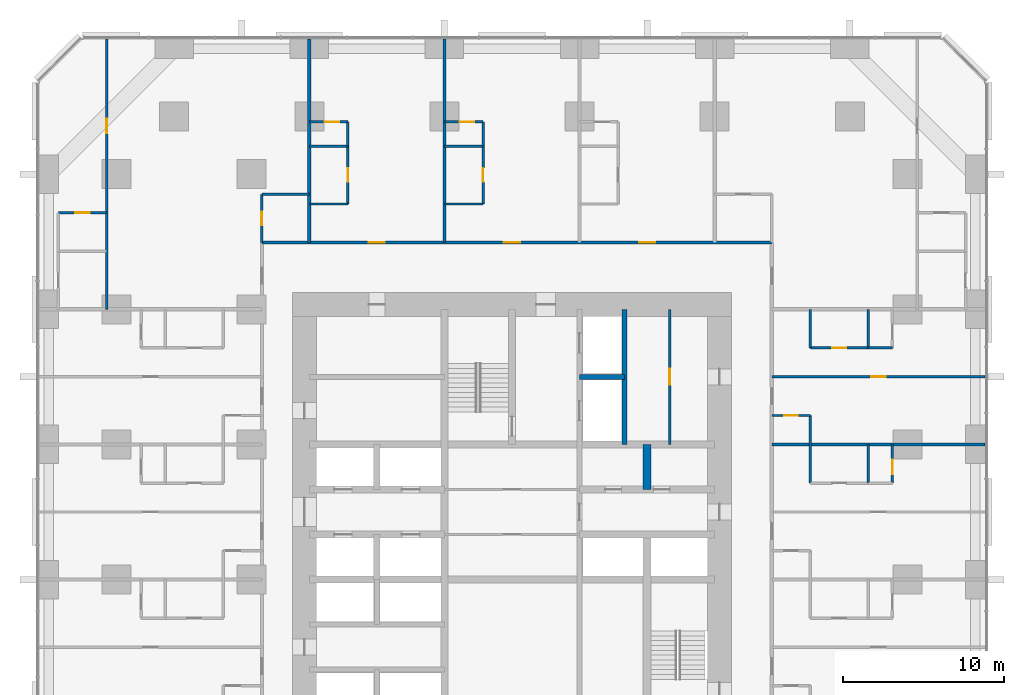
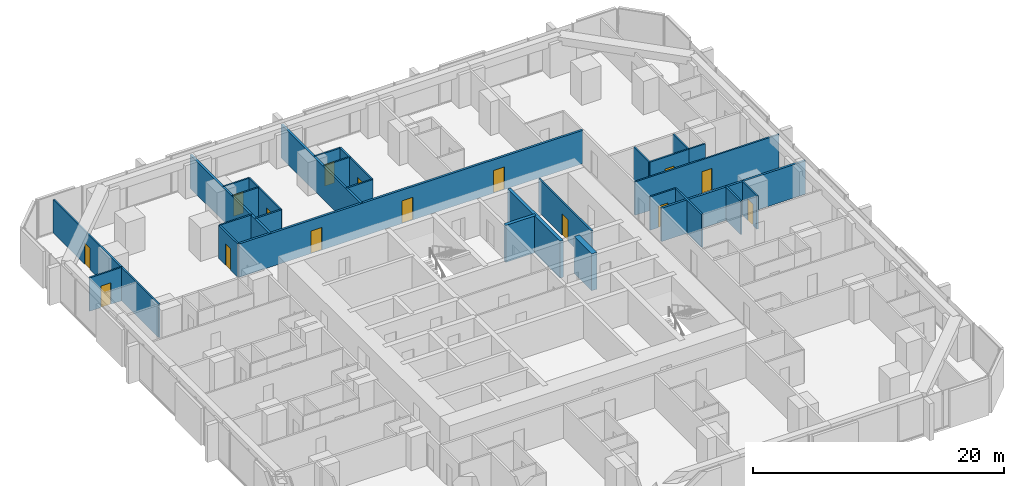
# One storey, part 15 of 17: 31 walls, 15 doors, 15 openings.
"""IFC4 building model written with IfcOpenShell, lengths in metres."""

from ifc_helpers import new_model, si_unit, direction, frame, frame_2d, origin, place, context, subcontext, project, spatial, rectangle, extrude, material, layer, layer_set, type_object, element, fill, save


model = new_model("IFC4")

# Units and contexts
model_context = context("Model", 3, precision=1e-05, world=origin(), true_north=direction((0.0, 1.0)))
body_context = subcontext(model_context, "Body", "Model", "MODEL_VIEW")
ifc_project = project(units=[si_unit("LENGTHUNIT", "METRE"), si_unit("AREAUNIT", "SQUARE_METRE"), si_unit("VOLUMEUNIT", "CUBIC_METRE"), si_unit("PLANEANGLEUNIT", "RADIAN"), si_unit("MASSUNIT", "GRAM", prefix="KILO")], contexts=[model_context])

# Site, building, storey
site_placement = place(None, origin())
site = spatial("IfcSite", under=ifc_project, at=site_placement, CompositionType="ELEMENT")
building_placement = place(site_placement, origin())
building = spatial("IfcBuilding", under=site, at=building_placement, Name="Dunama Terrace Hotel", CompositionType="ELEMENT")
storey_placement = place(building_placement, frame((0.0, 0.0, 55.800048828125)))
storey = spatial("IfcBuildingStorey", under=building, at=storey_placement, Name="L13", CompositionType="ELEMENT", Elevation=55.800048828125)

# Wall, opening, door
ifc_material_1 = material(Name="Gypsum board partition", Category="masonry")
ifc_layer_1 = layer(ifc_material_1, 0.14990234375)
ifc_layer_set_1 = layer_set([ifc_layer_1], Name="Bathroom partition 150")
wall_type_1 = type_object("IfcWallType", Name="Bathroom partition 150", PredefinedType="PARTITIONING", material=ifc_layer_set_1)
wall_1_placement = place(storey_placement, frame((13.85009765625, 46.14990234375, 0.0), z_axis=(0.0, 0.0, 1.0), x_axis=(0.0, 1.0, 0.0)))
wall_1 = element("IfcWall", 1, at=wall_1_placement, inside=storey, type_object=wall_type_1, Name="Bathroom partition 150 L13", PredefinedType="PARTITIONING", context=body_context, shape_type="SweptSolid", body=[
    extrude(rectangle(XDim=3.0, YDim=0.14990234375, at=frame_2d((1.5, 0.0))), origin(), (0.0, 0.0, 1.0), 3.25),
])
opening_1_placement = place(wall_1_placement, frame((1.074951171875, 0.0, 0.0)))
opening_1 = element("IfcOpeningElement", 2, at=opening_1_placement, cuts=wall_1, Name="Opening L13-14-073", PredefinedType="OPENING", context=body_context, shape_type="SweptSolid", body=[
    extrude(rectangle(XDim=0.85009765625, YDim=2.10009765625, at=frame_2d((0.425048828125, 1.050048828125))), frame((0.0, 0.0849609375, 0.0), z_axis=(0.0, -1.0, 0.0), x_axis=(1.0, 0.0, 0.0)), (0.0, 0.0, 1.0), 0.169921875),
])
ifc_material_2 = material(Name="Timber door with steel frame", Category="steel")
door_type_1 = type_object("IfcDoorType", Name="Bathroom door 850", OperationType="SINGLE_SWING_LEFT", PredefinedType="DOOR", material=ifc_material_2)
door_1_placement = place(opening_1_placement, frame((0.85009765625, 0.0, 0.0), z_axis=(0.0, 0.0, 1.0), x_axis=(-1.0, 0.0, 0.0)))
door_1 = element("IfcDoor", 3, at=door_1_placement, inside=storey, type_object=door_type_1, Name="Door to powder room L13-14-073, type D2", OperationType="SINGLE_SWING_RIGHT", OverallHeight=2.10009765625, OverallWidth=0.85009765625, PredefinedType="DOOR", context=body_context, shape_type="SweptSolid", body=[
    extrude(rectangle(XDim=0.85009765625, YDim=2.10009765625, at=frame_2d((0.425048828125, 1.050048828125))), frame((0.0, 0.025146484375, 0.0), z_axis=(0.0, -1.0, 0.0), x_axis=(1.0, 0.0, 0.0)), (0.0, 0.0, 1.0), 0.050048828125),
])
fill(opening_1, door_1)

wall_2_placement = place(storey_placement, frame((19.199951171875, 48.550048828125, 0.0), z_axis=(0.0, 0.0, 1.0), x_axis=(0.0, 1.0, 0.0)))
wall_2 = element("IfcWall", 4, at=wall_2_placement, inside=storey, type_object=wall_type_1, Name="Bathroom partition 150 L13", PredefinedType="PARTITIONING", context=body_context, shape_type="SweptSolid", body=[
    extrude(rectangle(XDim=3.599853515625, YDim=0.14990234375, at=frame_2d((1.7998046875, 0.0))), origin(), (0.0, 0.0, 1.0), 3.25),
])
opening_2_placement = place(wall_2_placement, frame((1.375, 0.0, 0.0)))
opening_2 = element("IfcOpeningElement", 5, at=opening_2_placement, cuts=wall_2, Name="Opening L13-14-034", PredefinedType="OPENING", context=body_context, shape_type="SweptSolid", body=[
    extrude(rectangle(XDim=0.85009765625, YDim=2.10009765625, at=frame_2d((0.425048828125, 1.050048828125))), frame((0.0, 0.0849609375, 0.0), z_axis=(0.0, -1.0, 0.0), x_axis=(1.0, 0.0, 0.0)), (0.0, 0.0, 1.0), 0.169921875),
])
door_2_placement = place(opening_2_placement, origin())
door_2 = element("IfcDoor", 6, at=door_2_placement, inside=storey, type_object=door_type_1, Name="Door to en-suite bathroom L13-14-034, type D2", OperationType="SINGLE_SWING_LEFT", OverallHeight=2.10009765625, OverallWidth=0.85009765625, PredefinedType="DOOR", context=body_context, shape_type="SweptSolid", body=[
    extrude(rectangle(XDim=0.85009765625, YDim=2.10009765625, at=frame_2d((0.425048828125, 1.050048828125))), frame((0.0, 0.02490234375, 0.0), z_axis=(0.0, -1.0, 0.0), x_axis=(1.0, 0.0, 0.0)), (0.0, 0.0, 1.0), 0.050048828125),
])
fill(opening_2, door_2)

wall_3_placement = place(storey_placement, frame((27.60009765625, 48.550048828125, 0.0), z_axis=(0.0, 0.0, 1.0), x_axis=(0.0, 1.0, 0.0)))
wall_3 = element("IfcWall", 7, at=wall_3_placement, inside=storey, type_object=wall_type_1, Name="Bathroom partition 150 L13", PredefinedType="PARTITIONING", context=body_context, shape_type="SweptSolid", body=[
    extrude(rectangle(XDim=3.599853515625, YDim=0.14990234375, at=frame_2d((1.7998046875, 0.0))), origin(), (0.0, 0.0, 1.0), 3.25),
])
opening_3_placement = place(wall_3_placement, frame((1.375, 0.0, 0.0)))
opening_3 = element("IfcOpeningElement", 8, at=opening_3_placement, cuts=wall_3, Name="Opening L13-14-037", PredefinedType="OPENING", context=body_context, shape_type="SweptSolid", body=[
    extrude(rectangle(XDim=0.85009765625, YDim=2.10009765625, at=frame_2d((0.425048828125, 1.050048828125))), frame((0.0, 0.0849609375, 0.0), z_axis=(0.0, -1.0, 0.0), x_axis=(1.0, 0.0, 0.0)), (0.0, 0.0, 1.0), 0.169921875),
])
door_3_placement = place(opening_3_placement, origin())
door_3 = element("IfcDoor", 9, at=door_3_placement, inside=storey, type_object=door_type_1, Name="Door to en-suite bathroom L13-14-037, type D2", OperationType="SINGLE_SWING_LEFT", OverallHeight=2.10009765625, OverallWidth=0.85009765625, PredefinedType="DOOR", context=body_context, shape_type="SweptSolid", body=[
    extrude(rectangle(XDim=0.85009765625, YDim=2.10009765625, at=frame_2d((0.425048828125, 1.050048828125))), frame((0.0, 0.02490234375, 0.0), z_axis=(0.0, -1.0, 0.0), x_axis=(1.0, 0.0, 0.0)), (0.0, 0.0, 1.0), 0.050048828125),
])
fill(opening_3, door_3)

# Walls
wall_4_placement = place(storey_placement, frame((47.949951171875, 31.199951171875, 0.0), z_axis=(0.0, 0.0, 1.0), x_axis=(0.0, 1.0, 0.0)))
element("IfcWall", 10, at=wall_4_placement, inside=storey, type_object=wall_type_1, Name="Bathroom partition 150 L13", PredefinedType="PARTITIONING", context=body_context, shape_type="SweptSolid", body=[
    extrude(rectangle(XDim=4.199951171875, YDim=0.14990234375, at=frame_2d((2.10009765625, 0.0))), origin(), (0.0, 0.0, 1.0), 3.25),
])
wall_5_placement = place(storey_placement, frame((47.949951171875, 39.60009765625, 0.0), z_axis=(0.0, 0.0, 1.0), x_axis=(0.0, 1.0, 0.0)))
element("IfcWall", 11, at=wall_5_placement, inside=storey, type_object=wall_type_1, Name="Bathroom partition 150 L13", PredefinedType="PARTITIONING", context=body_context, shape_type="SweptSolid", body=[
    extrude(rectangle(XDim=2.39990234375, YDim=0.14990234375, at=frame_2d((1.199951171875, 0.0))), origin(), (0.0, 0.0, 1.0), 3.25),
])

# Wall, opening, door
wall_6_placement = place(storey_placement, frame((45.550048828125, 35.39990234375, 0.0), z_axis=(0.0, 0.0, 1.0), x_axis=(1.0, 0.0, 0.0)))
wall_6 = element("IfcWall", 12, at=wall_6_placement, inside=storey, type_object=wall_type_1, Name="Bathroom partition 150 L13", PredefinedType="PARTITIONING", context=body_context, shape_type="SweptSolid", body=[
    extrude(rectangle(XDim=2.39990234375, YDim=0.14990234375, at=frame_2d((1.199951171875, 0.0))), origin(), (0.0, 0.0, 1.0), 3.25),
])
opening_4_placement = place(wall_6_placement, frame((0.77490234375, 0.0, 0.0)))
opening_4 = element("IfcOpeningElement", 13, at=opening_4_placement, cuts=wall_6, Name="Opening L13-14-029", PredefinedType="OPENING", context=body_context, shape_type="SweptSolid", body=[
    extrude(rectangle(XDim=0.85009765625, YDim=2.10009765625, at=frame_2d((0.425048828125, 1.050048828125))), frame((0.0, 0.0849609375, 0.0), z_axis=(0.0, -1.0, 0.0), x_axis=(1.0, 0.0, 0.0)), (0.0, 0.0, 1.0), 0.169921875),
])
door_4_placement = place(opening_4_placement, frame((0.85009765625, 0.0, 0.0), z_axis=(0.0, 0.0, 1.0), x_axis=(-1.0, 0.0, 0.0)))
door_4 = element("IfcDoor", 14, at=door_4_placement, inside=storey, type_object=door_type_1, Name="Door to powder room L13-14-029, type D2", OperationType="SINGLE_SWING_RIGHT", OverallHeight=2.10009765625, OverallWidth=0.85009765625, PredefinedType="DOOR", context=body_context, shape_type="SweptSolid", body=[
    extrude(rectangle(XDim=0.85009765625, YDim=2.10009765625, at=frame_2d((0.425048828125, 1.050048828125))), frame((0.0, 0.025146484375, 0.0), z_axis=(0.0, -1.0, 0.0), x_axis=(1.0, 0.0, 0.0)), (0.0, 0.0, 1.0), 0.050048828125),
])
fill(opening_4, door_4)

wall_7_placement = place(storey_placement, frame((47.949951171875, 39.60009765625, 0.0), z_axis=(0.0, 0.0, 1.0), x_axis=(1.0, 0.0, 0.0)))
wall_7 = element("IfcWall", 15, at=wall_7_placement, inside=storey, type_object=wall_type_1, Name="Bathroom partition 150 L13", PredefinedType="PARTITIONING", context=body_context, shape_type="SweptSolid", body=[
    extrude(rectangle(XDim=3.60009765625, YDim=0.14990234375, at=frame_2d((1.800048828125, 0.0))), origin(), (0.0, 0.0, 1.0), 3.25),
])
opening_5_placement = place(wall_7_placement, frame((1.375, 0.0, 0.0)))
opening_5 = element("IfcOpeningElement", 16, at=opening_5_placement, cuts=wall_7, Name="Opening L13-14-031", PredefinedType="OPENING", context=body_context, shape_type="SweptSolid", body=[
    extrude(rectangle(XDim=0.85009765625, YDim=2.10009765625, at=frame_2d((0.425048828125, 1.050048828125))), frame((0.0, 0.0849609375, 0.0), z_axis=(0.0, -1.0, 0.0), x_axis=(1.0, 0.0, 0.0)), (0.0, 0.0, 1.0), 0.169921875),
])
door_5_placement = place(opening_5_placement, origin())
door_5 = element("IfcDoor", 17, at=door_5_placement, inside=storey, type_object=door_type_1, Name="Door to en-suite bathroom L13-14-031, type D2", OperationType="SINGLE_SWING_RIGHT", OverallHeight=2.10009765625, OverallWidth=0.85009765625, PredefinedType="DOOR", context=body_context, shape_type="SweptSolid", body=[
    extrude(rectangle(XDim=0.85009765625, YDim=2.10009765625, at=frame_2d((0.425048828125, 1.050048828125))), frame((0.0, 0.02490234375, 0.0), z_axis=(0.0, -1.0, 0.0), x_axis=(1.0, 0.0, 0.0)), (0.0, 0.0, 1.0), 0.050048828125),
])
fill(opening_5, door_5)

# Walls
wall_8_placement = place(storey_placement, frame((16.800048828125, 48.550048828125, 0.0), z_axis=(0.0, 0.0, 1.0), x_axis=(1.0, 0.0, 0.0)))
element("IfcWall", 18, at=wall_8_placement, inside=storey, type_object=wall_type_1, Name="Bathroom partition 150 L13", PredefinedType="PARTITIONING", context=body_context, shape_type="SweptSolid", body=[
    extrude(rectangle(XDim=2.39990234375, YDim=0.14990234375, at=frame_2d((1.199951171875, 0.0))), origin(), (0.0, 0.0, 1.0), 3.25),
])
wall_9_placement = place(storey_placement, frame((25.199951171875, 48.550048828125, 0.0), z_axis=(0.0, 0.0, 1.0), x_axis=(1.0, 0.0, 0.0)))
element("IfcWall", 19, at=wall_9_placement, inside=storey, type_object=wall_type_1, Name="Bathroom partition 150 L13", PredefinedType="PARTITIONING", context=body_context, shape_type="SweptSolid", body=[
    extrude(rectangle(XDim=2.400146484375, YDim=0.14990234375, at=frame_2d((1.2001953125, 0.0))), origin(), (0.0, 0.0, 1.0), 3.25),
])
wall_10_placement = place(storey_placement, frame((13.85009765625, 49.14990234375, 0.0), z_axis=(0.0, 0.0, 1.0), x_axis=(1.0, 0.0, 0.0)))
element("IfcWall", 20, at=wall_10_placement, inside=storey, type_object=wall_type_1, Name="Bathroom partition 150 L13", PredefinedType="PARTITIONING", context=body_context, shape_type="SweptSolid", body=[
    extrude(rectangle(XDim=2.949951171875, YDim=0.14990234375, at=frame_2d((1.47509765625, 0.0))), origin(), (0.0, 0.0, 1.0), 3.25),
])
ifc_material_3 = material(Name="Concrete C50/60", Category="concrete")
ifc_layer_2 = layer(ifc_material_3, 0.300048828125)
ifc_layer_set_2 = layer_set([ifc_layer_2], Name="Core inner wall 300")
wall_type_2 = type_object("IfcWallType", Name="Core inner wall 300", PredefinedType="SHEAR", material=ifc_layer_set_2)
wall_11_placement = place(storey_placement, frame((36.39990234375, 33.60009765625, -0.35009765625), z_axis=(0.0, 0.0, 1.0), x_axis=(0.0, 1.0, 0.0)))
element("IfcWall", 21, at=wall_11_placement, inside=storey, type_object=wall_type_2, Name="Core inner wall 300 L13", PredefinedType="SHEAR", context=body_context, shape_type="SweptSolid", body=[
    extrude(rectangle(XDim=8.39990234375, YDim=0.300048828125, at=frame_2d((4.199951171875, 0.0))), origin(), (0.0, 0.0, 1.0), 3.60009765625),
])
wall_12_placement = place(storey_placement, frame((33.60009765625, 37.800048828125, -0.35009765625), z_axis=(0.0, 0.0, 1.0), x_axis=(1.0, 0.0, 0.0)))
element("IfcWall", 22, at=wall_12_placement, inside=storey, type_object=wall_type_2, Name="Core inner wall 300 L13", PredefinedType="SHEAR", context=body_context, shape_type="SweptSolid", body=[
    extrude(rectangle(XDim=2.7998046875, YDim=0.300048828125, at=frame_2d((1.39990234375, 0.0))), origin(), (0.0, 0.0, 1.0), 3.60009765625),
])
ifc_material_4 = material(Name="Concrete C50/60", Category="concrete")
ifc_layer_3 = layer(ifc_material_4, 0.5)
ifc_layer_set_3 = layer_set([ifc_layer_3], Name="Core inner wall 500")
wall_type_3 = type_object("IfcWallType", Name="Core inner wall 500", PredefinedType="SHEAR", material=ifc_layer_set_3)
wall_13_placement = place(storey_placement, frame((37.800048828125, 30.800048828125, -0.35009765625), z_axis=(0.0, 0.0, 1.0), x_axis=(0.0, 1.0, 0.0)))
element("IfcWall", 23, at=wall_13_placement, inside=storey, type_object=wall_type_3, Name="Core inner wall 500 L13", PredefinedType="SHEAR", context=body_context, shape_type="SweptSolid", body=[
    extrude(rectangle(XDim=2.800048828125, YDim=0.5, at=frame_2d((1.39990234375, 0.0))), origin(), (0.0, 0.0, 1.0), 3.60009765625),
])

# Wall, openings, doors
ifc_material_5 = material(Name="Concrete blockwork", Category="masonry")
ifc_layer_4 = layer(ifc_material_5, 0.199951171875)
ifc_layer_set_4 = layer_set([ifc_layer_4], Name="Corridor partition 200")
wall_type_4 = type_object("IfcWallType", Name="Corridor partition 200", PredefinedType="PARTITIONING", material=ifc_layer_set_4)
wall_14_placement = place(storey_placement, frame((13.85009765625, 46.14990234375, 0.0), z_axis=(0.0, 0.0, 1.0), x_axis=(1.0, 0.0, 0.0)))
wall_14 = element("IfcWall", 24, at=wall_14_placement, inside=storey, type_object=wall_type_4, Name="Corridor partition 200 L13", PredefinedType="PARTITIONING", context=body_context, shape_type="SweptSolid", body=[
    extrude(rectangle(XDim=31.699951171875, YDim=0.199951171875, at=frame_2d((15.85009765625, 0.0))), origin(), (0.0, 0.0, 1.0), 3.25),
])
opening_6_placement = place(wall_14_placement, frame((6.64990234375, 0.0, 0.0)))
opening_6 = element("IfcOpeningElement", 25, at=opening_6_placement, cuts=wall_14, Name="Opening L13-14-033", PredefinedType="OPENING", context=body_context, shape_type="SweptSolid", body=[
    extrude(rectangle(XDim=1.0, YDim=2.199951171875, at=frame_2d((0.5, 1.10009765625))), frame((0.0, 0.10986328125, 0.0), z_axis=(0.0, -1.0, 0.0), x_axis=(1.0, 0.0, 0.0)), (0.0, 0.0, 1.0), 0.219970703125),
])
opening_7_placement = place(wall_14_placement, frame((15.050048828125, 0.0, 0.0)))
opening_7 = element("IfcOpeningElement", 26, at=opening_7_placement, cuts=wall_14, Name="Opening L13-14-036", PredefinedType="OPENING", context=body_context, shape_type="SweptSolid", body=[
    extrude(rectangle(XDim=1.0, YDim=2.199951171875, at=frame_2d((0.5, 1.10009765625))), frame((0.0, 0.10986328125, 0.0), z_axis=(0.0, -1.0, 0.0), x_axis=(1.0, 0.0, 0.0)), (0.0, 0.0, 1.0), 0.219970703125),
])
opening_8_placement = place(wall_14_placement, frame((23.449951171875, 0.0, 0.0)))
opening_8 = element("IfcOpeningElement", 27, at=opening_8_placement, cuts=wall_14, Name="Opening L13-14-039", PredefinedType="OPENING", context=body_context, shape_type="SweptSolid", body=[
    extrude(rectangle(XDim=1.0, YDim=2.199951171875, at=frame_2d((0.5, 1.10009765625))), frame((0.0, 0.10986328125, 0.0), z_axis=(0.0, -1.0, 0.0), x_axis=(1.0, 0.0, 0.0)), (0.0, 0.0, 1.0), 0.219970703125),
])
ifc_material_6 = material(Name="Timber door with steel frame", Category="steel")
door_type_2 = type_object("IfcDoorType", Name="Guest room door 1000", OperationType="SINGLE_SWING_LEFT", PredefinedType="DOOR", material=ifc_material_6)
door_6_placement = place(opening_6_placement, origin())
door_6 = element("IfcDoor", 28, at=door_6_placement, inside=storey, type_object=door_type_2, Name="Door to junior suite L13-14-033, type D1", OperationType="SINGLE_SWING_LEFT", OverallHeight=2.199951171875, OverallWidth=1.0, PredefinedType="DOOR", context=body_context, shape_type="SweptSolid", body=[
    extrude(rectangle(XDim=1.0, YDim=2.199951171875, at=frame_2d((0.5, 1.10009765625))), frame((0.0, 0.02490234375, 0.0), z_axis=(0.0, -1.0, 0.0), x_axis=(1.0, 0.0, 0.0)), (0.0, 0.0, 1.0), 0.050048828125),
])
fill(opening_6, door_6)
door_7_placement = place(opening_7_placement, origin())
door_7 = element("IfcDoor", 29, at=door_7_placement, inside=storey, type_object=door_type_2, Name="Door to junior suite L13-14-036, type D1", OperationType="SINGLE_SWING_LEFT", OverallHeight=2.199951171875, OverallWidth=1.0, PredefinedType="DOOR", context=body_context, shape_type="SweptSolid", body=[
    extrude(rectangle(XDim=1.0, YDim=2.199951171875, at=frame_2d((0.5, 1.10009765625))), frame((0.0, 0.02490234375, 0.0), z_axis=(0.0, -1.0, 0.0), x_axis=(1.0, 0.0, 0.0)), (0.0, 0.0, 1.0), 0.050048828125),
])
fill(opening_7, door_7)
door_8_placement = place(opening_8_placement, origin())
door_8 = element("IfcDoor", 30, at=door_8_placement, inside=storey, type_object=door_type_2, Name="Door to junior suite L13-14-039, type D1", OperationType="SINGLE_SWING_LEFT", OverallHeight=2.199951171875, OverallWidth=1.0, PredefinedType="DOOR", context=body_context, shape_type="SweptSolid", body=[
    extrude(rectangle(XDim=1.0, YDim=2.199951171875, at=frame_2d((0.5, 1.10009765625))), frame((0.0, 0.02490234375, 0.0), z_axis=(0.0, -1.0, 0.0), x_axis=(1.0, 0.0, 0.0)), (0.0, 0.0, 1.0), 0.050048828125),
])
fill(opening_8, door_8)

# Walls
ifc_material_7 = material(Name="Concrete blockwork", Category="masonry")
ifc_layer_5 = layer(ifc_material_7, 0.199951171875)
ifc_layer_set_5 = layer_set([ifc_layer_5], Name="Party wall 200")
wall_type_5 = type_object("IfcWallType", Name="Party wall 200", PredefinedType="PARTITIONING", material=ifc_layer_set_5)
for number, where, z_axis, x_axis, name in (
    (31, (16.800048828125, 46.14990234375, 0.0), (0.0, 0.0, 1.0), (0.0, 1.0, 0.0), "Party wall 200 L13"),
    (32, (25.199951171875, 46.14990234375, 0.0), (0.0, 0.0, 1.0), (0.0, 1.0, 0.0), "Party wall 200 L13"),
):
    element("IfcWall", number, at=place(storey_placement, frame(where, z_axis=z_axis, x_axis=x_axis)), inside=storey, type_object=wall_type_5, Name=name, PredefinedType="PARTITIONING", context=body_context, shape_type="SweptSolid", body=[
        extrude(rectangle(XDim=12.658203125, YDim=0.199951171875, at=frame_2d((6.3291015625, 0.0))), origin(), (0.0, 0.0, 1.0), 3.25),
    ])
wall_15_placement = place(storey_placement, frame((45.550048828125, 33.60009765625, 0.0), z_axis=(0.0, 0.0, 1.0), x_axis=(1.0, 0.0, 0.0)))
element("IfcWall", 33, at=wall_15_placement, inside=storey, type_object=wall_type_5, Name="Party wall 200 L13", PredefinedType="PARTITIONING", context=body_context, shape_type="SweptSolid", body=[
    extrude(rectangle(XDim=13.258056640625, YDim=0.199951171875, at=frame_2d((6.62890625, 0.0))), origin(), (0.0, 0.0, 1.0), 3.25),
])

# Wall, opening, door
ifc_material_8 = material(Name="Gypsum board partition", Category="masonry")
ifc_layer_6 = layer(ifc_material_8, 0.14990234375)
ifc_layer_set_6 = layer_set([ifc_layer_6], Name="Room partition 150")
wall_type_6 = type_object("IfcWallType", Name="Room partition 150", PredefinedType="PARTITIONING", material=ifc_layer_set_6)
wall_16_placement = place(storey_placement, frame((4.199951171875, 42.0, 0.0), z_axis=(0.0, 0.0, 1.0), x_axis=(0.0, 1.0, 0.0)))
wall_16 = element("IfcWall", 34, at=wall_16_placement, inside=storey, type_object=wall_type_6, Name="Room partition 150 L13", PredefinedType="PARTITIONING", context=body_context, shape_type="SweptSolid", body=[
    extrude(rectangle(XDim=16.80810546875, YDim=0.14990234375, at=frame_2d((8.404052734375, 0.0))), origin(), (0.0, 0.0, 1.0), 3.25),
])
opening_9_placement = place(wall_16_placement, frame((10.949951171875, 0.0, 0.0)))
opening_9 = element("IfcOpeningElement", 35, at=opening_9_placement, cuts=wall_16, Name="Opening L13-14-074", PredefinedType="OPENING", context=body_context, shape_type="SweptSolid", body=[
    extrude(rectangle(XDim=0.89990234375, YDim=2.10009765625, at=frame_2d((0.449951171875, 1.050048828125))), frame((0.0, 0.0849609375, 0.0), z_axis=(0.0, -1.0, 0.0), x_axis=(1.0, 0.0, 0.0)), (0.0, 0.0, 1.0), 0.169921875),
])
ifc_material_9 = material(Name="Timber door with steel frame", Category="steel")
door_type_3 = type_object("IfcDoorType", Name="Suite internal door 900", OperationType="SINGLE_SWING_LEFT", PredefinedType="DOOR", material=ifc_material_9)
door_9_placement = place(opening_9_placement, origin())
door_9 = element("IfcDoor", 36, at=door_9_placement, inside=storey, type_object=door_type_3, Name="Door to corner suite bedroom L13-14-074, type D16", OperationType="SINGLE_SWING_LEFT", OverallHeight=2.10009765625, OverallWidth=0.89990234375, PredefinedType="DOOR", context=body_context, shape_type="SweptSolid", body=[
    extrude(rectangle(XDim=0.89990234375, YDim=2.10009765625, at=frame_2d((0.449951171875, 1.050048828125))), frame((0.0, 0.02490234375, 0.0), z_axis=(0.0, -1.0, 0.0), x_axis=(1.0, 0.0, 0.0)), (0.0, 0.0, 1.0), 0.050048828125),
])
fill(opening_9, door_9)

# Walls
for number, where, z_axis, x_axis, name in (
    (37, (19.199951171875, 52.14990234375, 0.0), (0.0, 0.0, 1.0), (0.0, 1.0, 0.0), "Room partition 150 L13"),
    (38, (27.60009765625, 52.14990234375, 0.0), (0.0, 0.0, 1.0), (0.0, 1.0, 0.0), "Room partition 150 L13"),
):
    element("IfcWall", number, at=place(storey_placement, frame(where, z_axis=z_axis, x_axis=x_axis)), inside=storey, type_object=wall_type_6, Name=name, PredefinedType="PARTITIONING", context=body_context, shape_type="SweptSolid", body=[
        extrude(rectangle(XDim=1.5, YDim=0.14990234375, at=frame_2d((0.75, 0.0))), origin(), (0.0, 0.0, 1.0), 3.25),
    ])

# Wall, opening, door
wall_17_placement = place(storey_placement, frame((39.199951171875, 33.60009765625, 0.0), z_axis=(0.0, 0.0, 1.0), x_axis=(0.0, 1.0, 0.0)))
wall_17 = element("IfcWall", 39, at=wall_17_placement, inside=storey, type_object=wall_type_6, Name="Room partition 150 L13", PredefinedType="PARTITIONING", context=body_context, shape_type="SweptSolid", body=[
    extrude(rectangle(XDim=8.39990234375, YDim=0.14990234375, at=frame_2d((4.199951171875, 0.0))), origin(), (0.0, 0.0, 1.0), 3.25),
])
opening_10_placement = place(wall_17_placement, frame((3.699951171875, 0.0, 0.0)))
opening_10 = element("IfcOpeningElement", 40, at=opening_10_placement, cuts=wall_17, Name="Opening L13-14-089", PredefinedType="OPENING", context=body_context, shape_type="SweptSolid", body=[
    extrude(rectangle(XDim=1.0, YDim=2.10009765625, at=frame_2d((0.5, 1.050048828125))), frame((0.0, 0.0849609375, 0.0), z_axis=(0.0, -1.0, 0.0), x_axis=(1.0, 0.0, 0.0)), (0.0, 0.0, 1.0), 0.169921875),
])
ifc_material_10 = material(Name="Timber door with steel frame", Category="steel")
door_type_4 = type_object("IfcDoorType", Name="Service door 1000", OperationType="SINGLE_SWING_LEFT", PredefinedType="DOOR", material=ifc_material_10)
door_10_placement = place(opening_10_placement, origin())
door_10 = element("IfcDoor", 41, at=door_10_placement, inside=storey, type_object=door_type_4, Name="Door to luggage store L13-14-089, type D7", OperationType="SINGLE_SWING_LEFT", OverallHeight=2.10009765625, OverallWidth=1.0, PredefinedType="DOOR", context=body_context, shape_type="SweptSolid", body=[
    extrude(rectangle(XDim=1.0, YDim=2.10009765625, at=frame_2d((0.5, 1.050048828125))), frame((0.0, 0.02490234375, 0.0), z_axis=(0.0, -1.0, 0.0), x_axis=(1.0, 0.0, 0.0)), (0.0, 0.0, 1.0), 0.050048828125),
])
fill(opening_10, door_10)

# Walls
wall_18_placement = place(storey_placement, frame((51.550048828125, 31.199951171875, 0.0), z_axis=(0.0, 0.0, 1.0), x_axis=(0.0, 1.0, 0.0)))
element("IfcWall", 42, at=wall_18_placement, inside=storey, type_object=wall_type_6, Name="Room partition 150 L13", PredefinedType="PARTITIONING", context=body_context, shape_type="SweptSolid", body=[
    extrude(rectangle(XDim=2.400146484375, YDim=0.14990234375, at=frame_2d((1.2001953125, 0.0))), origin(), (0.0, 0.0, 1.0), 3.25),
])
wall_19_placement = place(storey_placement, frame((51.550048828125, 39.60009765625, 0.0), z_axis=(0.0, 0.0, 1.0), x_axis=(0.0, 1.0, 0.0)))
element("IfcWall", 43, at=wall_19_placement, inside=storey, type_object=wall_type_6, Name="Room partition 150 L13", PredefinedType="PARTITIONING", context=body_context, shape_type="SweptSolid", body=[
    extrude(rectangle(XDim=2.39990234375, YDim=0.14990234375, at=frame_2d((1.199951171875, 0.0))), origin(), (0.0, 0.0, 1.0), 3.25),
])

# Wall, opening, door
wall_20_placement = place(storey_placement, frame((53.050048828125, 31.199951171875, 0.0), z_axis=(0.0, 0.0, 1.0), x_axis=(0.0, 1.0, 0.0)))
wall_20 = element("IfcWall", 44, at=wall_20_placement, inside=storey, type_object=wall_type_6, Name="Room partition 150 L13", PredefinedType="PARTITIONING", context=body_context, shape_type="SweptSolid", body=[
    extrude(rectangle(XDim=2.400146484375, YDim=0.14990234375, at=frame_2d((1.2001953125, 0.0))), origin(), (0.0, 0.0, 1.0), 3.25),
])
opening_11_placement = place(wall_20_placement, frame((0.550048828125, 0.0, 0.0)))
opening_11 = element("IfcOpeningElement", 45, at=opening_11_placement, cuts=wall_20, Name="Opening L13-14-027", PredefinedType="OPENING", context=body_context, shape_type="SweptSolid", body=[
    extrude(rectangle(XDim=0.89990234375, YDim=2.10009765625, at=frame_2d((0.449951171875, 1.050048828125))), frame((0.0, 0.0849609375, 0.0), z_axis=(0.0, -1.0, 0.0), x_axis=(1.0, 0.0, 0.0)), (0.0, 0.0, 1.0), 0.169921875),
])
door_11_placement = place(opening_11_placement, origin())
door_11 = element("IfcDoor", 46, at=door_11_placement, inside=storey, type_object=door_type_3, Name="Door to walk-in wardrobe L13-14-027, type D16", OperationType="SINGLE_SWING_RIGHT", OverallHeight=2.10009765625, OverallWidth=0.89990234375, PredefinedType="DOOR", context=body_context, shape_type="SweptSolid", body=[
    extrude(rectangle(XDim=0.89990234375, YDim=2.10009765625, at=frame_2d((0.449951171875, 1.050048828125))), frame((0.0, 0.02490234375, 0.0), z_axis=(0.0, -1.0, 0.0), x_axis=(1.0, 0.0, 0.0)), (0.0, 0.0, 1.0), 0.050048828125),
])
fill(opening_11, door_11)

wall_21_placement = place(storey_placement, frame((45.550048828125, 37.800048828125, 0.0), z_axis=(0.0, 0.0, 1.0), x_axis=(1.0, 0.0, 0.0)))
wall_21 = element("IfcWall", 47, at=wall_21_placement, inside=storey, type_object=wall_type_6, Name="Room partition 150 L13", PredefinedType="PARTITIONING", context=body_context, shape_type="SweptSolid", body=[
    extrude(rectangle(XDim=13.258056640625, YDim=0.14990234375, at=frame_2d((6.62890625, 0.0))), origin(), (0.0, 0.0, 1.0), 3.25),
])
opening_12_placement = place(wall_21_placement, frame((6.175048828125, 0.0, 0.0)))
opening_12 = element("IfcOpeningElement", 48, at=opening_12_placement, cuts=wall_21, Name="Opening L13-14-030", PredefinedType="OPENING", context=body_context, shape_type="SweptSolid", body=[
    extrude(rectangle(XDim=0.89990234375, YDim=2.10009765625, at=frame_2d((0.449951171875, 1.050048828125))), frame((0.0, 0.0849609375, 0.0), z_axis=(0.0, -1.0, 0.0), x_axis=(1.0, 0.0, 0.0)), (0.0, 0.0, 1.0), 0.169921875),
])
door_12_placement = place(opening_12_placement, origin())
door_12 = element("IfcDoor", 49, at=door_12_placement, inside=storey, type_object=door_type_3, Name="Door to executive suite bedroom L13-14-030, type D16", OperationType="SINGLE_SWING_LEFT", OverallHeight=2.10009765625, OverallWidth=0.89990234375, PredefinedType="DOOR", context=body_context, shape_type="SweptSolid", body=[
    extrude(rectangle(XDim=0.89990234375, YDim=2.10009765625, at=frame_2d((0.449951171875, 1.050048828125))), frame((0.0, 0.02490234375, 0.0), z_axis=(0.0, -1.0, 0.0), x_axis=(1.0, 0.0, 0.0)), (0.0, 0.0, 1.0), 0.050048828125),
])
fill(opening_12, door_12)

# Wall
wall_22_placement = place(storey_placement, frame((51.550048828125, 39.60009765625, 0.0), z_axis=(0.0, 0.0, 1.0), x_axis=(1.0, 0.0, 0.0)))
element("IfcWall", 50, at=wall_22_placement, inside=storey, type_object=wall_type_6, Name="Room partition 150 L13", PredefinedType="PARTITIONING", context=body_context, shape_type="SweptSolid", body=[
    extrude(rectangle(XDim=1.5, YDim=0.14990234375, at=frame_2d((0.75, 0.0))), origin(), (0.0, 0.0, 1.0), 3.25),
])

# Wall, opening, door
wall_23_placement = place(storey_placement, frame((1.199951171875, 48.0, 0.0), z_axis=(0.0, 0.0, 1.0), x_axis=(1.0, 0.0, 0.0)))
wall_23 = element("IfcWall", 51, at=wall_23_placement, inside=storey, type_object=wall_type_6, Name="Room partition 150 L13", PredefinedType="PARTITIONING", context=body_context, shape_type="SweptSolid", body=[
    extrude(rectangle(XDim=3.0, YDim=0.14990234375, at=frame_2d((1.5, 0.0))), origin(), (0.0, 0.0, 1.0), 3.25),
])
opening_13_placement = place(wall_23_placement, frame((1.050048828125, 0.0, 0.0)))
opening_13 = element("IfcOpeningElement", 52, at=opening_13_placement, cuts=wall_23, Name="Opening L13-14-076", PredefinedType="OPENING", context=body_context, shape_type="SweptSolid", body=[
    extrude(rectangle(XDim=0.89990234375, YDim=2.10009765625, at=frame_2d((0.449951171875, 1.050048828125))), frame((0.0, 0.0849609375, 0.0), z_axis=(0.0, -1.0, 0.0), x_axis=(1.0, 0.0, 0.0)), (0.0, 0.0, 1.0), 0.169921875),
])
door_13_placement = place(opening_13_placement, frame((0.89990234375, 0.0, 0.0), z_axis=(0.0, 0.0, 1.0), x_axis=(-1.0, 0.0, 0.0)))
door_13 = element("IfcDoor", 53, at=door_13_placement, inside=storey, type_object=door_type_3, Name="Door to dressing room L13-14-076, type D16", OperationType="SINGLE_SWING_RIGHT", OverallHeight=2.10009765625, OverallWidth=0.89990234375, PredefinedType="DOOR", context=body_context, shape_type="SweptSolid", body=[
    extrude(rectangle(XDim=0.89990234375, YDim=2.10009765625, at=frame_2d((0.449951171875, 1.050048828125))), frame((0.0, 0.025146484375, 0.0), z_axis=(0.0, -1.0, 0.0), x_axis=(1.0, 0.0, 0.0)), (0.0, 0.0, 1.0), 0.050048828125),
])
fill(opening_13, door_13)

# Walls
wall_24_placement = place(storey_placement, frame((16.800048828125, 52.14990234375, 0.0), z_axis=(0.0, 0.0, 1.0), x_axis=(1.0, 0.0, 0.0)))
element("IfcWall", 54, at=wall_24_placement, inside=storey, type_object=wall_type_6, Name="Room partition 150 L13", PredefinedType="PARTITIONING", context=body_context, shape_type="SweptSolid", body=[
    extrude(rectangle(XDim=2.39990234375, YDim=0.14990234375, at=frame_2d((1.199951171875, 0.0))), origin(), (0.0, 0.0, 1.0), 3.25),
])
wall_25_placement = place(storey_placement, frame((25.199951171875, 52.14990234375, 0.0), z_axis=(0.0, 0.0, 1.0), x_axis=(1.0, 0.0, 0.0)))
element("IfcWall", 55, at=wall_25_placement, inside=storey, type_object=wall_type_6, Name="Room partition 150 L13", PredefinedType="PARTITIONING", context=body_context, shape_type="SweptSolid", body=[
    extrude(rectangle(XDim=2.400146484375, YDim=0.14990234375, at=frame_2d((1.2001953125, 0.0))), origin(), (0.0, 0.0, 1.0), 3.25),
])

# Wall, opening, door
wall_26_placement = place(storey_placement, frame((16.800048828125, 53.64990234375, 0.0), z_axis=(0.0, 0.0, 1.0), x_axis=(1.0, 0.0, 0.0)))
wall_26 = element("IfcWall", 56, at=wall_26_placement, inside=storey, type_object=wall_type_6, Name="Room partition 150 L13", PredefinedType="PARTITIONING", context=body_context, shape_type="SweptSolid", body=[
    extrude(rectangle(XDim=2.39990234375, YDim=0.14990234375, at=frame_2d((1.199951171875, 0.0))), origin(), (0.0, 0.0, 1.0), 3.25),
])
opening_14_placement = place(wall_26_placement, frame((0.949951171875, 0.0, 0.0)))
opening_14 = element("IfcOpeningElement", 57, at=opening_14_placement, cuts=wall_26, Name="Opening L13-14-035", PredefinedType="OPENING", context=body_context, shape_type="SweptSolid", body=[
    extrude(rectangle(XDim=0.89990234375, YDim=2.10009765625, at=frame_2d((0.449951171875, 1.050048828125))), frame((0.0, 0.0849609375, 0.0), z_axis=(0.0, -1.0, 0.0), x_axis=(1.0, 0.0, 0.0)), (0.0, 0.0, 1.0), 0.169921875),
])
door_14_placement = place(opening_14_placement, frame((0.89990234375, 0.0, 0.0), z_axis=(0.0, 0.0, 1.0), x_axis=(-1.0, 0.0, 0.0)))
door_14 = element("IfcDoor", 58, at=door_14_placement, inside=storey, type_object=door_type_3, Name="Door to walk-in wardrobe L13-14-035, type D16", OperationType="SINGLE_SWING_RIGHT", OverallHeight=2.10009765625, OverallWidth=0.89990234375, PredefinedType="DOOR", context=body_context, shape_type="SweptSolid", body=[
    extrude(rectangle(XDim=0.89990234375, YDim=2.10009765625, at=frame_2d((0.449951171875, 1.050048828125))), frame((0.0, 0.025146484375, 0.0), z_axis=(0.0, -1.0, 0.0), x_axis=(1.0, 0.0, 0.0)), (0.0, 0.0, 1.0), 0.050048828125),
])
fill(opening_14, door_14)

wall_27_placement = place(storey_placement, frame((25.199951171875, 53.64990234375, 0.0), z_axis=(0.0, 0.0, 1.0), x_axis=(1.0, 0.0, 0.0)))
wall_27 = element("IfcWall", 59, at=wall_27_placement, inside=storey, type_object=wall_type_6, Name="Room partition 150 L13", PredefinedType="PARTITIONING", context=body_context, shape_type="SweptSolid", body=[
    extrude(rectangle(XDim=2.400146484375, YDim=0.14990234375, at=frame_2d((1.2001953125, 0.0))), origin(), (0.0, 0.0, 1.0), 3.25),
])
opening_15_placement = place(wall_27_placement, frame((0.949951171875, 0.0, 0.0)))
opening_15 = element("IfcOpeningElement", 60, at=opening_15_placement, cuts=wall_27, Name="Opening L13-14-038", PredefinedType="OPENING", context=body_context, shape_type="SweptSolid", body=[
    extrude(rectangle(XDim=0.89990234375, YDim=2.10009765625, at=frame_2d((0.449951171875, 1.050048828125))), frame((0.0, 0.0849609375, 0.0), z_axis=(0.0, -1.0, 0.0), x_axis=(1.0, 0.0, 0.0)), (0.0, 0.0, 1.0), 0.169921875),
])
door_15_placement = place(opening_15_placement, frame((0.89990234375, 0.0, 0.0), z_axis=(0.0, 0.0, 1.0), x_axis=(-1.0, 0.0, 0.0)))
door_15 = element("IfcDoor", 61, at=door_15_placement, inside=storey, type_object=door_type_3, Name="Door to walk-in wardrobe L13-14-038, type D16", OperationType="SINGLE_SWING_RIGHT", OverallHeight=2.10009765625, OverallWidth=0.89990234375, PredefinedType="DOOR", context=body_context, shape_type="SweptSolid", body=[
    extrude(rectangle(XDim=0.89990234375, YDim=2.10009765625, at=frame_2d((0.449951171875, 1.050048828125))), frame((0.0, 0.025146484375, 0.0), z_axis=(0.0, -1.0, 0.0), x_axis=(1.0, 0.0, 0.0)), (0.0, 0.0, 1.0), 0.050048828125),
])
fill(opening_15, door_15)

save(model, "model.ifc")
